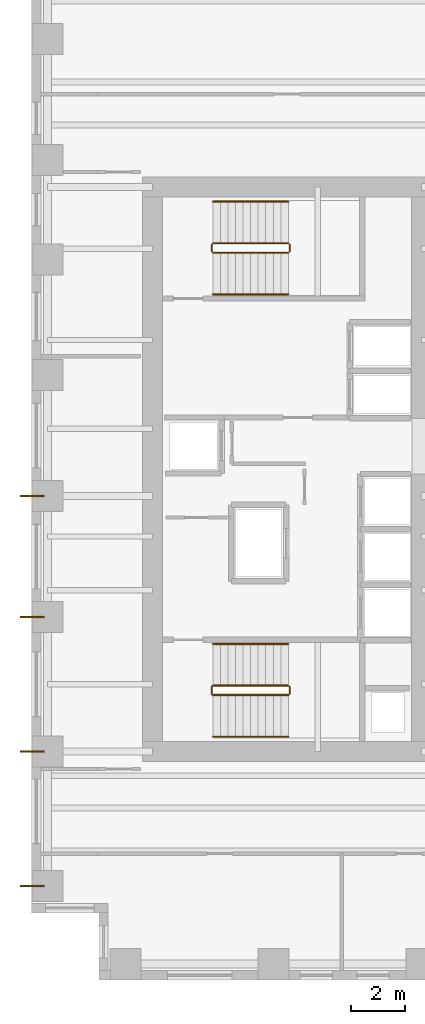
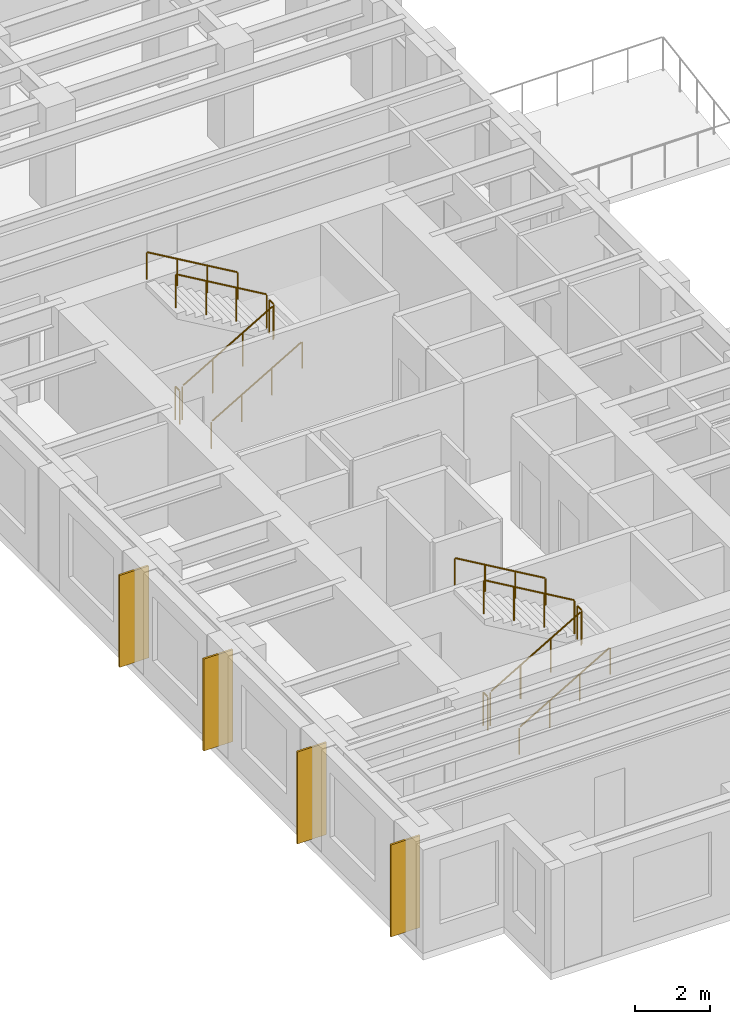
# One storey, part 10 of 11: 12 railings, 4 coverings.
"""IFC4 building model written with IfcOpenShell, lengths in metres."""

from ifc_helpers import new_model, si_unit, direction, frame, origin, origin_2d, place, context, subcontext, project, spatial, rectangle, circle, extrude, source, transform, mapped, material, layer, layer_set, type_object, element, save


model = new_model("IFC4")

# Units and contexts
model_context = context("Model", 3, precision=1e-05, world=origin(), true_north=direction((0.0, 1.0)))
body_context = subcontext(model_context, "Body", "Model", "MODEL_VIEW")
ifc_project = project(units=[si_unit("LENGTHUNIT", "METRE"), si_unit("AREAUNIT", "SQUARE_METRE"), si_unit("VOLUMEUNIT", "CUBIC_METRE"), si_unit("PLANEANGLEUNIT", "RADIAN"), si_unit("MASSUNIT", "GRAM", prefix="KILO")], contexts=[model_context])

# Site, building, storey
site_placement = place(None, origin())
site = spatial("IfcSite", under=ifc_project, at=site_placement, CompositionType="ELEMENT")
building_placement = place(site_placement, origin())
building = spatial("IfcBuilding", under=site, at=building_placement, Name="Kharzan Plaza Tower", CompositionType="ELEMENT")
storey_placement = place(building_placement, frame((0.0, 0.0, 99.0)))
storey = spatial("IfcBuildingStorey", under=building, at=storey_placement, Name="L26", CompositionType="ELEMENT", Elevation=99.0)

# Railings
ifc_material_1 = material(Name="Painted Galvanized Architectural Steel", Category="steel")
ifc_layer_1 = layer(ifc_material_1, 0.074951171875)
ifc_layer_set_1 = layer_set([ifc_layer_1], Name="Painted Galvanized Architectural Steel")
railing_type_1 = type_object("IfcRailingType", Name="RL-GUARD-1120", PredefinedType="BALUSTRADE", material=ifc_layer_set_1)
shared_shape_1 = source(origin(), body_context, "Body", "SweptSolid", [
    extrude(circle(Radius=0.02392578125, at=origin_2d()), frame((0.0, 0.0263671875, 1.09619140625), z_axis=(0.0, 1.0, 0.0), x_axis=(-1.0, 0.0, 0.0)), (0.0, 0.0, 1.0), 0.197021484375),
    extrude(circle(Radius=0.02099609375, at=origin_2d()), origin(), (0.0, 0.0, 1.0), 1.072021484375),
    extrude(circle(Radius=0.02099609375, at=origin_2d()), frame((0.0, 0.25, 0.0)), (0.0, 0.0, 1.0), 1.072021484375),
])
for number, where, name in (
    (1, (9.60009765625, 10.64990234375, 1.800048828125), "L26 ST-1 stair guard 2"),
    (2, (6.699951171875, 10.64990234375, 0.0), "L26 ST-1 stair guard 4"),
    (3, (9.60009765625, 27.10009765625, 1.800048828125), "L26 ST-2 stair guard 2"),
    (4, (6.699951171875, 27.10009765625, 0.0), "L26 ST-2 stair guard 4"),
):
    element("IfcRailing", number, at=place(storey_placement, frame(where)), inside=storey, type_object=railing_type_1, Name=name, PredefinedType="BALUSTRADE", context=body_context, shape_type="MappedRepresentation", body=[
        mapped(shared_shape_1, transform((0.0, 0.0, 0.0), x_axis=(1.0, 0.0, 0.0), y_axis=(0.0, 1.0, 0.0), z_axis=(0.0, 0.0, 1.0))),
    ])

# Coverings
ifc_material_2 = material(Name="Honed Riyadh Limestone", Category="masonry")
ifc_layer_2 = layer(ifc_material_2, 0.06005859375)
ifc_layer_set_2 = layer_set([ifc_layer_2], Name="Honed Riyadh Limestone")
covering_type = type_object("IfcCoveringType", Name="COV-CLAD-STONE", PredefinedType="CLADDING", material=ifc_layer_set_2)
shared_shape_2 = source(origin(), body_context, "Body", "SweptSolid", [
    extrude(rectangle(XDim=0.06005859375, YDim=0.89990234375, at=origin_2d()), origin(), (0.0, 0.0, 1.0), 3.0),
])
for number, where, z_axis, x_axis, name in (
    (5, (0.02001953125, 13.5, 0.10009765625), (0.0, 0.0, 1.0), (0.0, 1.0, 0.0), "L26 Limestone Pier Rainscreen Cladding TCW-135"),
    (6, (0.02001953125, 18.0, 0.10009765625), (0.0, 0.0, 1.0), (0.0, 1.0, 0.0), "L26 Limestone Pier Rainscreen Cladding TCW-180"),
    (7, (0.02001953125, 3.5, 0.10009765625), (0.0, 0.0, 1.0), (0.0, 1.0, 0.0), "L26 Limestone Pier Rainscreen Cladding TCW-35"),
    (8, (0.02001953125, 8.5, 0.10009765625), (0.0, 0.0, 1.0), (0.0, 1.0, 0.0), "L26 Limestone Pier Rainscreen Cladding TCW-85"),
):
    element("IfcCovering", number, at=place(storey_placement, frame(where, z_axis=z_axis, x_axis=x_axis)), inside=storey, type_object=covering_type, Name=name, PredefinedType="CLADDING", context=body_context, shape_type="MappedRepresentation", body=[
        mapped(shared_shape_2, transform((0.0, 0.0, 0.0), x_axis=(1.0, 0.0, 0.0), y_axis=(0.0, 1.0, 0.0), z_axis=(0.0, 0.0, 1.0))),
    ])

# Railings
shared_shape_3 = source(origin(), body_context, "Body", "SweptSolid", [
    extrude(circle(Radius=0.02392578125, at=origin_2d()), frame((0.02294921875, 0.0, 1.109375), z_axis=(0.863360870873, 0.0, 0.504586966384), x_axis=(0.0, 1.0, 0.0)), (0.0, 0.0, 1.0), 3.190185546875),
    extrude(circle(Radius=0.02099609375, at=origin_2d()), origin(), (0.0, 0.0, 1.0), 1.072021484375),
    extrude(circle(Radius=0.02099609375, at=origin_2d()), frame((0.933349609375, 0.0, 0.54541015625)), (0.0, 0.0, 1.0), 1.072021484375),
    extrude(circle(Radius=0.02099609375, at=origin_2d()), frame((1.86669921875, 0.0, 1.091064453125)), (0.0, 0.0, 1.0), 1.072021484375),
    extrude(circle(Radius=0.02099609375, at=origin_2d()), frame((2.800048828125, 0.0, 1.636474609375)), (0.0, 0.0, 1.0), 1.072021484375),
])
for number, where, name in (
    (9, (6.75, 10.60009765625, 0.16357421875), "L26 ST-1 stair guard 1"),
    (10, (6.75, 27.050048828125, 0.16357421875), "L26 ST-2 stair guard 1"),
):
    element("IfcRailing", number, at=place(storey_placement, frame(where)), inside=storey, type_object=railing_type_1, Name=name, PredefinedType="BALUSTRADE", context=body_context, shape_type="MappedRepresentation", body=[
        mapped(shared_shape_3, transform((0.0, 0.0, 0.0), x_axis=(1.0, 0.0, 0.0), y_axis=(0.0, 1.0, 0.0), z_axis=(0.0, 0.0, 1.0))),
    ])
shared_shape_4 = source(origin(), body_context, "Body", "SweptSolid", [
    extrude(circle(Radius=0.02392578125, at=origin_2d()), frame((-0.02294921875, 0.0, 1.109375), z_axis=(-0.863360870873, 0.0, 0.504586966384), x_axis=(0.0, -1.0, 0.0)), (0.0, 0.0, 1.0), 3.190185546875),
    extrude(circle(Radius=0.02099609375, at=origin_2d()), origin(), (0.0, 0.0, 1.0), 1.072021484375),
    extrude(circle(Radius=0.02099609375, at=origin_2d()), frame((-0.933349609375, 0.0, 0.54541015625)), (0.0, 0.0, 1.0), 1.072021484375),
    extrude(circle(Radius=0.02099609375, at=origin_2d()), frame((-1.86669921875, 0.0, 1.091064453125)), (0.0, 0.0, 1.0), 1.072021484375),
    extrude(circle(Radius=0.02099609375, at=origin_2d()), frame((-2.800048828125, 0.0, 1.636474609375)), (0.0, 0.0, 1.0), 1.072021484375),
])
for number, where, name in (
    (11, (9.550048828125, 10.949951171875, 1.963623046875), "L26 ST-1 stair guard 3"),
    (12, (9.550048828125, 27.39990234375, 1.963623046875), "L26 ST-2 stair guard 3"),
):
    element("IfcRailing", number, at=place(storey_placement, frame(where)), inside=storey, type_object=railing_type_1, Name=name, PredefinedType="BALUSTRADE", context=body_context, shape_type="MappedRepresentation", body=[
        mapped(shared_shape_4, transform((0.0, 0.0, 0.0), x_axis=(1.0, 0.0, 0.0), y_axis=(0.0, 1.0, 0.0), z_axis=(0.0, 0.0, 1.0))),
    ])
ifc_material_3 = material(Name="Brushed Stainless Steel", Category="steel")
ifc_layer_3 = layer(ifc_material_3, 0.050048828125)
ifc_layer_set_3 = layer_set([ifc_layer_3], Name="Brushed Stainless Steel")
railing_type_2 = type_object("IfcRailingType", Name="RL-STAIR-HR920", PredefinedType="HANDRAIL", material=ifc_layer_set_3)
shared_shape_5 = source(origin(), body_context, "Body", "SweptSolid", [
    extrude(circle(Radius=0.02392578125, at=origin_2d()), frame((0.02294921875, 0.0, 0.88916015625), z_axis=(0.863360870873, 0.0, 0.504586966384), x_axis=(0.0, 1.0, 0.0)), (0.0, 0.0, 1.0), 3.190185546875),
    extrude(circle(Radius=0.02099609375, at=origin_2d()), origin(), (0.0, 0.0, 1.0), 0.851806640625),
    extrude(circle(Radius=0.02099609375, at=origin_2d()), frame((0.933349609375, 0.0, 0.54541015625)), (0.0, 0.0, 1.0), 0.851806640625),
    extrude(circle(Radius=0.02099609375, at=origin_2d()), frame((1.86669921875, 0.0, 1.091064453125)), (0.0, 0.0, 1.0), 0.851806640625),
    extrude(circle(Radius=0.02099609375, at=origin_2d()), frame((2.800048828125, 0.0, 1.636474609375)), (0.0, 0.0, 1.0), 0.851806640625),
])
for number, where, name in (
    (13, (6.75, 9.050048828125, 0.16357421875), "L26 ST-1 stair handrail 1"),
    (14, (6.75, 25.5, 0.16357421875), "L26 ST-2 stair handrail 1"),
):
    element("IfcRailing", number, at=place(storey_placement, frame(where)), inside=storey, type_object=railing_type_2, Name=name, PredefinedType="HANDRAIL", context=body_context, shape_type="MappedRepresentation", body=[
        mapped(shared_shape_5, transform((0.0, 0.0, 0.0), x_axis=(1.0, 0.0, 0.0), y_axis=(0.0, 1.0, 0.0), z_axis=(0.0, 0.0, 1.0))),
    ])
shared_shape_6 = source(origin(), body_context, "Body", "SweptSolid", [
    extrude(circle(Radius=0.02392578125, at=origin_2d()), frame((-0.02294921875, 0.0, 0.88916015625), z_axis=(-0.863360870873, 0.0, 0.504586966384), x_axis=(0.0, -1.0, 0.0)), (0.0, 0.0, 1.0), 3.190185546875),
    extrude(circle(Radius=0.02099609375, at=origin_2d()), origin(), (0.0, 0.0, 1.0), 0.851806640625),
    extrude(circle(Radius=0.02099609375, at=origin_2d()), frame((-0.933349609375, 0.0, 0.54541015625)), (0.0, 0.0, 1.0), 0.851806640625),
    extrude(circle(Radius=0.02099609375, at=origin_2d()), frame((-1.86669921875, 0.0, 1.091064453125)), (0.0, 0.0, 1.0), 0.851806640625),
    extrude(circle(Radius=0.02099609375, at=origin_2d()), frame((-2.800048828125, 0.0, 1.636474609375)), (0.0, 0.0, 1.0), 0.851806640625),
])
for number, where, name in (
    (15, (9.550048828125, 12.5, 1.963623046875), "L26 ST-1 stair handrail 2"),
    (16, (9.550048828125, 28.949951171875, 1.963623046875), "L26 ST-2 stair handrail 2"),
):
    element("IfcRailing", number, at=place(storey_placement, frame(where)), inside=storey, type_object=railing_type_2, Name=name, PredefinedType="HANDRAIL", context=body_context, shape_type="MappedRepresentation", body=[
        mapped(shared_shape_6, transform((0.0, 0.0, 0.0), x_axis=(1.0, 0.0, 0.0), y_axis=(0.0, 1.0, 0.0), z_axis=(0.0, 0.0, 1.0))),
    ])

save(model, "model.ifc")
